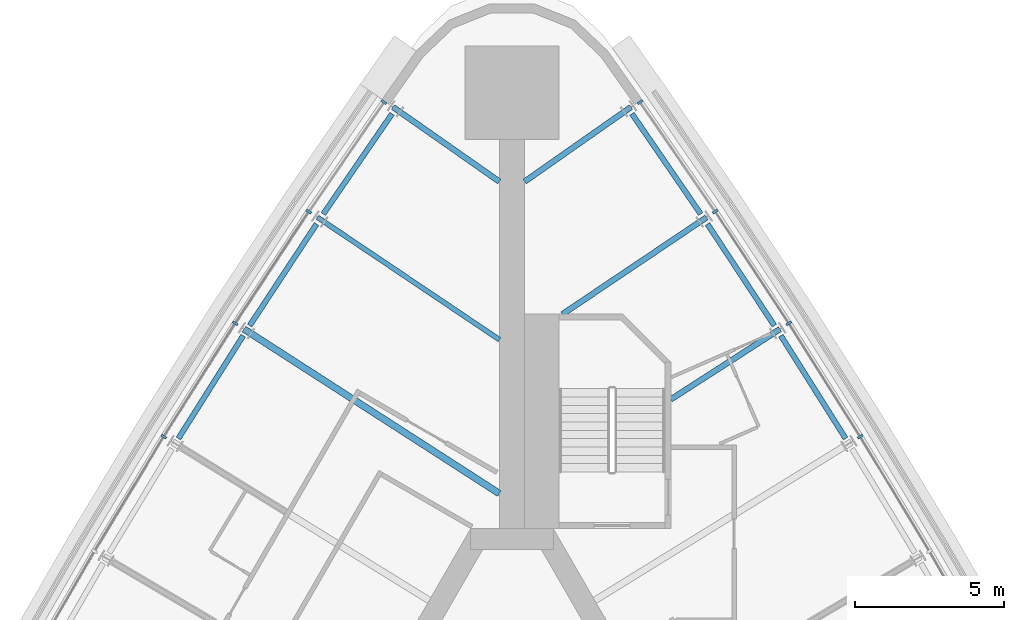
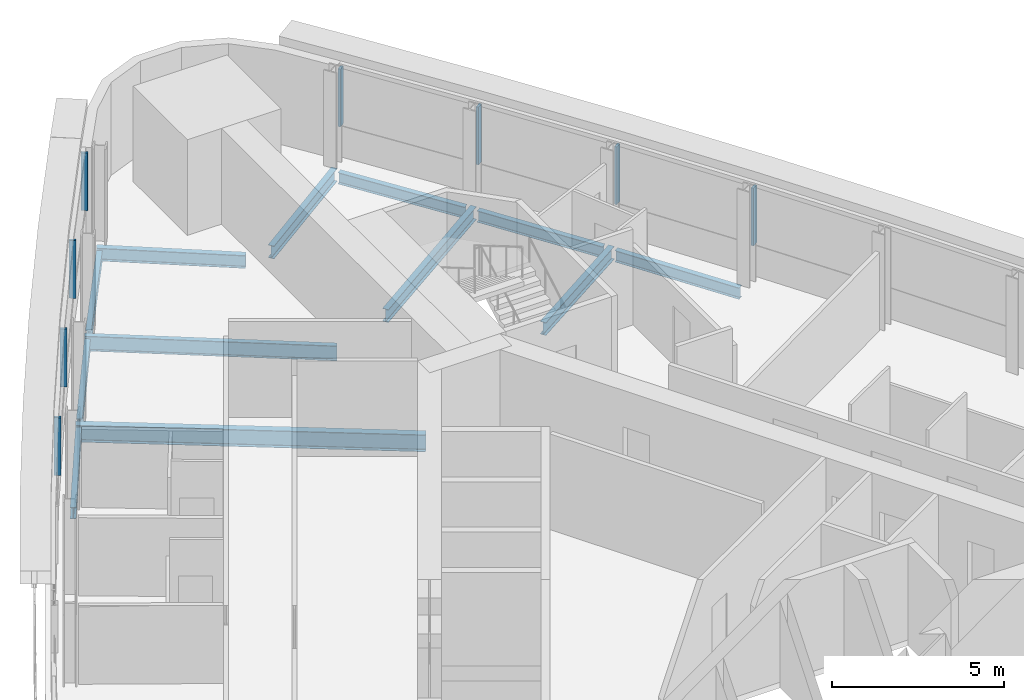
# One storey, part 6 of 13: 12 beams, 8 members, 2 elements without a shape of their own.
"""IFC4 building model written with IfcOpenShell, lengths in metres."""

import ifcopenshell
import ifcopenshell.guid

model = None  # the IFC model being written
_history = None  # IfcOwnerHistory: only IFC2X3 demands one
_inside = {}  # id of a spatial element -> (the spatial element, [elements in it])
_under = {}  # id of a project, library or spatial element -> (it, [spatial elements below it])
_declared = {}  # id of a project -> (the project, [libraries it declares])
_typed = {}  # id of a type object -> (the type object, [elements of that type])
_made_of = {}  # id of a material, layer set ... -> (it, [elements and type objects made of it])


def new_model(schema):
    """Start an empty IFC model of exactly this schema.

    Asked for "IFC4X3", IfcOpenShell would pick the latest addendum, in which some entities
    have other attributes; the version numbers below select the first issue.
    IFC2X3 requires an IfcOwnerHistory on every rooted entity: one is made here for all.
    """
    global model, _history
    if schema == "IFC4X3":
        model = ifcopenshell.file(schema_version=(4, 3, 0, 0))
    else:
        model = ifcopenshell.file(schema=schema)
    _inside.clear()
    _under.clear()
    _declared.clear()
    _typed.clear()
    _made_of.clear()
    _history = None
    if model.schema == "IFC2X3":
        org = make("IfcOrganization", Name="unknown")
        user = make(
            "IfcPersonAndOrganization",
            ThePerson=make("IfcPerson", FamilyName="unknown"),
            TheOrganization=org,
        )
        app = make(
            "IfcApplication",
            ApplicationDeveloper=org,
            Version="unknown",
            ApplicationFullName="unknown",
            ApplicationIdentifier="unknown",
        )
        _history = make(
            "IfcOwnerHistory",
            OwningUser=user,
            OwningApplication=app,
            ChangeAction="ADDED",
            CreationDate=0,
        )
    return model


def make(cls, **values):
    """One entity of the class cls with the attributes given. An attribute that is None is left unset."""
    return model.create_entity(
        cls, **{name: value for name, value in values.items() if value is not None}
    )


def rooted(cls, **values):
    """An entity with a GlobalId (a new one), such as an element, a storey or a relation."""
    return make(cls, GlobalId=ifcopenshell.guid.new(), OwnerHistory=_history, **values)


def si_unit(unit_type, name, prefix=None):
    """IfcSIUnit, for example si_unit("LENGTHUNIT", "METRE", prefix="MILLI")."""
    return make("IfcSIUnit", UnitType=unit_type, Prefix=prefix, Name=name)


def assignment(units):
    """IfcUnitAssignment: the units of a project."""
    return None if units is None else make("IfcUnitAssignment", Units=units)


def point(xyz):
    """IfcCartesianPoint."""
    return None if xyz is None else make("IfcCartesianPoint", Coordinates=xyz)


def direction(xyz):
    """IfcDirection."""
    return None if xyz is None else make("IfcDirection", DirectionRatios=xyz)


def frame(location, z_axis=None, x_axis=None):
    """IfcAxis2Placement3D, a coordinate frame: its origin and axes. An axis left out is left unset."""
    return make(
        "IfcAxis2Placement3D",
        Location=point(location),
        Axis=direction(z_axis),
        RefDirection=direction(x_axis),
    )


def frame_2d(location, x_axis=None):
    """IfcAxis2Placement2D, a coordinate frame in the plane: its origin and x axis."""
    return make(
        "IfcAxis2Placement2D", Location=point(location), RefDirection=direction(x_axis)
    )


def origin():
    """The frame at (0, 0, 0) with its axes left unset."""
    return frame((0.0, 0.0, 0.0))


def origin_2d():
    """The frame at (0, 0) in the plane with its x axis left unset."""
    return frame_2d((0.0, 0.0))


def place(relative_to, where):
    """IfcLocalPlacement: puts the frame where relative to a parent placement (None: the world)."""
    return make(
        "IfcLocalPlacement", PlacementRelTo=relative_to, RelativePlacement=where
    )


def context(
    kind, dimensions, precision=None, world=None, true_north=None, identifier=None
):
    """IfcGeometricRepresentationContext, for example the 3D "Model" context."""
    return make(
        "IfcGeometricRepresentationContext",
        ContextIdentifier=identifier,
        ContextType=kind,
        CoordinateSpaceDimension=dimensions,
        Precision=precision,
        WorldCoordinateSystem=world,
        TrueNorth=true_north,
    )


def subcontext(parent, identifier, kind, view, scale=None):
    """IfcGeometricRepresentationSubContext, for example "Body" below "Model"."""
    return make(
        "IfcGeometricRepresentationSubContext",
        ContextIdentifier=identifier,
        ContextType=kind,
        ParentContext=parent,
        TargetScale=scale,
        TargetView=view,
    )


def project(units=None, contexts=None):
    """IfcProject with its units and contexts."""
    return rooted(
        "IfcProject",
        Name="project",
        RepresentationContexts=contexts,
        UnitsInContext=assignment(units),
    )


def spatial(cls, under=None, at=None, **own):
    """A site, building, storey or space (cls), placed at a placement, below another one or the project."""
    s = rooted(cls, ObjectPlacement=at, **own)
    if under is not None:
        _under.setdefault(under.id(), (under, []))[1].append(s)
    return s


def profile(cls, at=None, kind="AREA", **sizes):
    """A parametric profile (cls). Its sizes go by their IFC names, for example OverallWidth=200.0."""
    return make(cls, ProfileType=kind, Position=at, **sizes)


def rectangle(**sizes):
    """IfcRectangleProfileDef."""
    return profile("IfcRectangleProfileDef", **sizes)


def i_section(**sizes):
    """IfcIShapeProfileDef."""
    return profile("IfcIShapeProfileDef", **sizes)


def extrude(swept, where, along, depth):
    """IfcExtrudedAreaSolid: the profile swept, set in the frame where, extruded along a direction by depth."""
    return make(
        "IfcExtrudedAreaSolid",
        SweptArea=swept,
        Position=where,
        ExtrudedDirection=direction(along),
        Depth=depth,
    )


def shape(context_of_items, identifier, shape_type, items):
    """IfcShapeRepresentation: the items that make up one representation, for example the "Body"."""
    return make(
        "IfcShapeRepresentation",
        ContextOfItems=context_of_items,
        RepresentationIdentifier=identifier,
        RepresentationType=shape_type,
        Items=items,
    )


def material(Name=None, Category=None):
    """IfcMaterial."""
    return make("IfcMaterial", Name=Name, Category=Category)


def material_profile(
    of_material, cross_section, Name=None, Category=None, Priority=None
):
    """IfcMaterialProfile: a cross section and its material."""
    return make(
        "IfcMaterialProfile",
        Name=Name,
        Material=of_material,
        Profile=cross_section,
        Priority=Priority,
        Category=Category,
    )


def profile_set(profiles, Name=None, composite=None):
    """IfcMaterialProfileSet."""
    return make(
        "IfcMaterialProfileSet",
        Name=Name,
        MaterialProfiles=profiles,
        CompositeProfile=composite,
    )


def made_of(thing, what):
    """Note that an element or type object is made of a material, layer set ...; save() writes the relation."""
    if what is not None:
        _made_of.setdefault(what.id(), (what, []))[1].append(thing)
    return thing


def type_object(cls, material=None, **own):
    """A type object (cls), such as IfcWallType, which elements share."""
    return made_of(rooted(cls, **own), material)


def element(
    cls,
    number,
    at=None,
    inside=None,
    cuts=None,
    type_object=None,
    material=None,
    context=None,
    identifier="Body",
    shape_type=None,
    held_by="IfcProductDefinitionShape",
    body=None,
    shapes=None,
    **own,
):
    """One element of the class cls, such as IfcWall. Its Tag is "e" and its number.

    at: its placement. inside: the storey or other place that contains it. cuts: it is an
    opening in that element (IfcRelVoidsElement). A single representation is given by context,
    identifier, shape_type and body (its items); several are given by shapes. held_by: the class
    of the entity that holds the representations. save() writes the other relations.
    """
    e = rooted(cls, Tag="e%d" % number, ObjectPlacement=at, **own)
    if body is not None:
        shapes = [shape(context, identifier, shape_type, body)]
    if shapes is not None:
        e.Representation = make(held_by, Representations=shapes)
    if inside is not None:
        _inside.setdefault(inside.id(), (inside, []))[1].append(e)
    if cuts is not None:
        rooted(
            "IfcRelVoidsElement", RelatingBuildingElement=cuts, RelatedOpeningElement=e
        )
    if type_object is not None:
        _typed.setdefault(type_object.id(), (type_object, []))[1].append(e)
    return made_of(e, material)


def aggregate(whole, parts):
    """IfcRelAggregates: a whole, such as a stair, and the parts it consists of."""
    return rooted("IfcRelAggregates", RelatingObject=whole, RelatedObjects=parts)


def save(model, path):
    """Write the relations noted so far, then the file.

    IfcRelAggregates (storeys below a building ...), IfcRelContainedInSpatialStructure (elements
    in a storey), IfcRelDefinesByType, IfcRelAssociatesMaterial and IfcRelDeclares: one each for
    every whole, place, type object, material and project.
    """
    for whole, parts in _under.values():
        aggregate(whole, parts)
    for where, things in _inside.values():
        rooted(
            "IfcRelContainedInSpatialStructure",
            RelatedElements=things,
            RelatingStructure=where,
        )
    for kind, things in _typed.values():
        rooted("IfcRelDefinesByType", RelatedObjects=things, RelatingType=kind)
    for what, things in _made_of.values():
        rooted("IfcRelAssociatesMaterial", RelatedObjects=things, RelatingMaterial=what)
    for by, libraries in _declared.values():
        rooted("IfcRelDeclares", RelatingContext=by, RelatedDefinitions=libraries)
    model.write(path)


model = new_model("IFC4")

# Units and contexts
model_context = context("Model", 3, precision=1e-05, world=origin(), true_north=direction((0.0, 1.0)))
body_context = subcontext(model_context, "Body", "Model", "MODEL_VIEW")
ifc_project = project(units=[si_unit("LENGTHUNIT", "METRE"), si_unit("AREAUNIT", "SQUARE_METRE"), si_unit("VOLUMEUNIT", "CUBIC_METRE"), si_unit("PLANEANGLEUNIT", "RADIAN"), si_unit("MASSUNIT", "GRAM", prefix="KILO")], contexts=[model_context])

# Site, building, storey
site_placement = place(None, origin())
site = spatial("IfcSite", under=ifc_project, at=site_placement, CompositionType="ELEMENT")
building_placement = place(site_placement, origin())
building = spatial("IfcBuilding", under=site, at=building_placement, Name="Noor Cloister Tower", CompositionType="ELEMENT")
storey_placement = place(building_placement, frame((0.0, 0.0, 79.800048828125)))
storey = spatial("IfcBuildingStorey", under=building, at=storey_placement, Name="L20", CompositionType="ELEMENT", Elevation=79.800048828125)

# Curtain wall, members
ifc_material_1 = material(Name="Aluminium 6063-T6 anodised", Category="aluminium")
curtain_wall_type = type_object("IfcCurtainWallType", Name="Ribbon curtain wall, lower tower CW1", PredefinedType="NOTDEFINED", material=ifc_material_1)
curtain_wall_1_placement = place(storey_placement, origin())
curtain_wall_1 = element("IfcCurtainWall", 1, at=curtain_wall_1_placement, inside=storey, type_object=curtain_wall_type, Name="CW1 L20 NW run 1", PredefinedType="NOTDEFINED")
ifc_material_2 = material(Name="Aluminium 6063-T6 anodised", Category="aluminium")
ifc_material_profile_1 = material_profile(ifc_material_2, rectangle(XDim=0.199951171875, YDim=0.080078125, at=origin_2d()), Name="200 x 80 mullion")
ifc_profile_set_1 = profile_set([ifc_material_profile_1], Name="Aluminium 6063-T6 anodised")
member_type = type_object("IfcMemberType", Name="Mullion CW1 80 x 200", PredefinedType="MULLION", material=ifc_profile_set_1)
member_1_placement = place(storey_placement, frame((-4.304443359375, 25.782958984375, 1.099853515625), z_axis=(0.0, 0.0, 1.0), x_axis=(0.82447711927, -0.565895290492, 0.0)))
member_1 = element("IfcMember", 2, at=member_1_placement, type_object=member_type, Name="CW1 mullion 1", PredefinedType="MULLION", context=body_context, shape_type="SweptSolid", body=[
    extrude(rectangle(XDim=0.199951171875, YDim=0.080078125, at=origin_2d()), origin(), (0.0, 0.0, 1.0), 2.050048828125),
])
member_2_placement = place(storey_placement, frame((-6.827880859375, 22.106689453125, 1.099853515625), z_axis=(0.0, 0.0, 1.0), x_axis=(0.829949745524, -0.557838166411, 0.0)))
member_2 = element("IfcMember", 3, at=member_2_placement, type_object=member_type, Name="CW1 mullion 2", PredefinedType="MULLION", context=body_context, shape_type="SweptSolid", body=[
    extrude(rectangle(XDim=0.199951171875, YDim=0.080078125, at=origin_2d()), origin(), (0.0, 0.0, 1.0), 2.050048828125),
])
member_3_placement = place(storey_placement, frame((-9.300537109375, 18.349365234375, 1.099853515625), z_axis=(0.0, 0.0, 1.0), x_axis=(0.840658272634, -0.541565941185, 0.0)))
member_3 = element("IfcMember", 4, at=member_3_placement, type_object=member_type, Name="CW1 mullion 3", PredefinedType="MULLION", context=body_context, shape_type="SweptSolid", body=[
    extrude(rectangle(XDim=0.199951171875, YDim=0.080078125, at=origin_2d()), origin(), (0.0, 0.0, 1.0), 2.050048828125),
])
member_4_placement = place(storey_placement, frame((-11.699462890625, 14.54443359375, 1.099853515625), z_axis=(0.0, 0.0, 1.0), x_axis=(0.851047805349, -0.525088214503, 0.0)))
member_4 = element("IfcMember", 5, at=member_4_placement, type_object=member_type, Name="CW1 mullion 4", PredefinedType="MULLION", context=body_context, shape_type="SweptSolid", body=[
    extrude(rectangle(XDim=0.199951171875, YDim=0.080078125, at=origin_2d()), origin(), (0.0, 0.0, 1.0), 2.050048828125),
])
aggregate(curtain_wall_1, [member_1, member_2, member_3, member_4])

curtain_wall_2_placement = place(storey_placement, origin())
curtain_wall_2 = element("IfcCurtainWall", 6, at=curtain_wall_2_placement, inside=storey, type_object=curtain_wall_type, Name="CW1 L20 NE run 3", PredefinedType="NOTDEFINED")
member_5_placement = place(storey_placement, frame((11.699462890625, 14.54443359375, 1.099853515625), z_axis=(0.0, 0.0, 1.0), x_axis=(-0.851047805349, -0.525088214503, 0.0)))
member_5 = element("IfcMember", 7, at=member_5_placement, type_object=member_type, Name="CW1 mullion 7", PredefinedType="MULLION", context=body_context, shape_type="SweptSolid", body=[
    extrude(rectangle(XDim=0.199951171875, YDim=0.080078125, at=origin_2d()), origin(), (0.0, 0.0, 1.0), 2.050048828125),
])
member_6_placement = place(storey_placement, frame((9.300537109375, 18.349365234375, 1.099853515625), z_axis=(0.0, 0.0, 1.0), x_axis=(-0.840658272634, -0.541565941185, 0.0)))
member_6 = element("IfcMember", 8, at=member_6_placement, type_object=member_type, Name="CW1 mullion 8", PredefinedType="MULLION", context=body_context, shape_type="SweptSolid", body=[
    extrude(rectangle(XDim=0.199951171875, YDim=0.080078125, at=origin_2d()), origin(), (0.0, 0.0, 1.0), 2.050048828125),
])
member_7_placement = place(storey_placement, frame((6.827880859375, 22.106689453125, 1.099853515625), z_axis=(0.0, 0.0, 1.0), x_axis=(-0.829949745524, -0.557838166411, 0.0)))
member_7 = element("IfcMember", 9, at=member_7_placement, type_object=member_type, Name="CW1 mullion 9", PredefinedType="MULLION", context=body_context, shape_type="SweptSolid", body=[
    extrude(rectangle(XDim=0.199951171875, YDim=0.080078125, at=origin_2d()), origin(), (0.0, 0.0, 1.0), 2.050048828125),
])
member_8_placement = place(storey_placement, frame((4.304443359375, 25.782958984375, 1.099853515625), z_axis=(0.0, 0.0, 1.0), x_axis=(-0.82447711927, -0.565895290492, 0.0)))
member_8 = element("IfcMember", 10, at=member_8_placement, type_object=member_type, Name="CW1 mullion 10", PredefinedType="MULLION", context=body_context, shape_type="SweptSolid", body=[
    extrude(rectangle(XDim=0.199951171875, YDim=0.080078125, at=origin_2d()), origin(), (0.0, 0.0, 1.0), 2.050048828125),
])
aggregate(curtain_wall_2, [member_5, member_6, member_7, member_8])

# Beams
ifc_material_3 = material(Name="Steel ASTM A992 Gr 50", Category="steel")
ifc_material_profile_2 = material_profile(ifc_material_3, i_section(OverallWidth=0.19091796875, OverallDepth=0.45703125, WebThickness=0.009033203125, FlangeThickness=0.014404296875, FilletRadius=0.01025390625, at=origin_2d()), Name="W460x74")
ifc_profile_set_2 = profile_set([ifc_material_profile_2], Name="Steel ASTM A992 Gr 50")
beam_type_1 = type_object("IfcBeamType", Name="Radial beam W460x74", PredefinedType="BEAM", material=ifc_profile_set_2)
beam_1_placement = place(storey_placement, frame((-3.993408203125, 25.612548828125, -0.428466796875), z_axis=(0.81892119613, -0.573905980566, 0.0), x_axis=(0.573905980566, 0.81892119613, 0.0)))
element("IfcBeam", 11, at=beam_1_placement, inside=storey, type_object=beam_type_1, Name="Radial beam NW 01 L20", PredefinedType="BEAM", context=body_context, shape_type="SweptSolid", body=[
    extrude(i_section(OverallWidth=0.19091796875, OverallDepth=0.45703125, WebThickness=0.009033203125, FlangeThickness=0.014404296875, FilletRadius=0.01025390625, at=origin_2d()), origin(), (0.0, 0.0, 1.0), 4.357421875),
])
beam_2_placement = place(storey_placement, frame((9.003662109375, 18.158203125, -0.428466796875), z_axis=(-0.840650856863, -0.541577452315, 0.0), x_axis=(0.541577452315, -0.840650856863, 0.0)))
element("IfcBeam", 12, at=beam_2_placement, inside=storey, type_object=beam_type_1, Name="Radial beam NE 08 L20", PredefinedType="BEAM", context=body_context, shape_type="SweptSolid", body=[
    extrude(i_section(OverallWidth=0.19091796875, OverallDepth=0.45703125, WebThickness=0.009033203125, FlangeThickness=0.014404296875, FilletRadius=0.01025390625, at=origin_2d()), origin(), (0.0, 0.0, 1.0), 4.36328125),
])
beam_3_placement = place(storey_placement, frame((6.534912109375, 21.90966796875, -0.428466796875), z_axis=(-0.829964203406, -0.557816655421, 0.0), x_axis=(0.557816655421, -0.829964203406, 0.0)))
element("IfcBeam", 13, at=beam_3_placement, inside=storey, type_object=beam_type_1, Name="Radial beam NE 09 L20", PredefinedType="BEAM", context=body_context, shape_type="SweptSolid", body=[
    extrude(i_section(OverallWidth=0.19091796875, OverallDepth=0.45703125, WebThickness=0.009033203125, FlangeThickness=0.014404296875, FilletRadius=0.01025390625, at=origin_2d()), origin(), (0.0, 0.0, 1.0), 5.83203125),
])
beam_4_placement = place(storey_placement, frame((3.993408203125, 25.612548828125, -0.428466796875), z_axis=(-0.81892119613, -0.573905980566, 0.0), x_axis=(0.573905980566, -0.81892119613, 0.0)))
element("IfcBeam", 14, at=beam_4_placement, inside=storey, type_object=beam_type_1, Name="Radial beam NE 10 L20", PredefinedType="BEAM", context=body_context, shape_type="SweptSolid", body=[
    extrude(i_section(OverallWidth=0.19091796875, OverallDepth=0.45703125, WebThickness=0.009033203125, FlangeThickness=0.014404296875, FilletRadius=0.01025390625, at=origin_2d()), origin(), (0.0, 0.0, 1.0), 4.357421875),
])
ifc_material_4 = material(Name="Steel ASTM A992 Gr 50", Category="steel")
ifc_material_profile_3 = material_profile(ifc_material_4, i_section(OverallWidth=0.166015625, OverallDepth=0.528076171875, WebThickness=0.009765625, FlangeThickness=0.013671875, FilletRadius=0.0126953125, at=origin_2d()), Name="W530x74")
ifc_profile_set_3 = profile_set([ifc_material_profile_3], Name="Steel ASTM A992 Gr 50")
beam_type_2 = type_object("IfcBeamType", Name="Radial beam W530x74", PredefinedType="BEAM", material=ifc_profile_set_3)
beam_5_placement = place(storey_placement, frame((-6.534912109375, 21.90966796875, -0.464111328125), z_axis=(0.829947401278, -0.557841654156, 0.0), x_axis=(0.557841654156, 0.829947401278, 0.0)))
element("IfcBeam", 15, at=beam_5_placement, inside=storey, type_object=beam_type_2, Name="Radial beam NW 02 L20", PredefinedType="BEAM", context=body_context, shape_type="SweptSolid", body=[
    extrude(i_section(OverallWidth=0.166015625, OverallDepth=0.528076171875, WebThickness=0.009765625, FlangeThickness=0.013671875, FilletRadius=0.0126953125, at=origin_2d()), origin(), (0.0, 0.0, 1.0), 7.36181640625),
])
ifc_material_5 = material(Name="Steel ASTM A992 Gr 50", Category="steel")
ifc_material_profile_4 = material_profile(ifc_material_5, i_section(OverallWidth=0.22802734375, OverallDepth=0.60205078125, WebThickness=0.010498046875, FlangeThickness=0.014892578125, FilletRadius=0.0126953125, at=origin_2d()), Name="W610x101")
ifc_profile_set_4 = profile_set([ifc_material_profile_4], Name="Steel ASTM A992 Gr 50")
beam_type_3 = type_object("IfcBeamType", Name="Radial beam W610x101", PredefinedType="BEAM", material=ifc_profile_set_4)
beam_6_placement = place(storey_placement, frame((-9.003662109375, 18.158203125, -0.5009765625), z_axis=(0.840652606977, -0.541574735732, 0.0), x_axis=(0.541574735732, 0.840652606977, 0.0)))
element("IfcBeam", 16, at=beam_6_placement, inside=storey, type_object=beam_type_3, Name="Radial beam NW 03 L20", PredefinedType="BEAM", context=body_context, shape_type="SweptSolid", body=[
    extrude(i_section(OverallWidth=0.22802734375, OverallDepth=0.60205078125, WebThickness=0.010498046875, FlangeThickness=0.014892578125, FilletRadius=0.0126953125, at=origin_2d()), origin(), (0.0, 0.0, 1.0), 10.20458984375),
])
ifc_material_6 = material(Name="Steel ASTM A992 Gr 50", Category="steel")
ifc_material_profile_5 = material_profile(ifc_material_6, i_section(OverallWidth=0.177978515625, OverallDepth=0.406005859375, WebThickness=0.0078125, FlangeThickness=0.0126953125, FilletRadius=0.01025390625, at=origin_2d()), Name="W410x60")
ifc_profile_set_5 = profile_set([ifc_material_profile_5], Name="Steel ASTM A992 Gr 50")
beam_type_4 = type_object("IfcBeamType", Name="Spandrel beam W410x60", PredefinedType="SPANDREL", material=ifc_profile_set_5)
for number, where, z_axis, x_axis, name in (
    (17, (-4.0283203125, 25.390380859375, -0.403076171875), (-0.565889496738, -0.824481095891, 0.0), (0.824481095891, -0.565889496738, 0.0), "Spandrel beam NW 01 L20"),
    (18, (-6.5654296875, 21.686767578125, -0.403076171875), (-0.549697723063, -0.835363641332, 0.0), (0.835363641332, -0.549697723063, 0.0), "Spandrel beam NW 02 L20"),
):
    element("IfcBeam", number, at=place(storey_placement, frame(where, z_axis=z_axis, x_axis=x_axis)), inside=storey, type_object=beam_type_4, Name=name, PredefinedType="SPANDREL", context=body_context, shape_type="SweptSolid", body=[
        extrude(i_section(OverallWidth=0.177978515625, OverallDepth=0.406005859375, WebThickness=0.0078125, FlangeThickness=0.0126953125, FilletRadius=0.01025390625, at=origin_2d()), origin(), (0.0, 0.0, 1.0), 4.085205078125),
    ])
for number, where, z_axis, x_axis, name in (
    (19, (-9.030029296875, 17.9345703125, -0.403076171875), (-0.533336251935, -0.845903329212, 0.0), (0.845903329212, -0.533336251935, 0.0), "Spandrel beam NW 03 L20"),
    (20, (11.208740234375, 14.47900390625, -0.403076171875), (-0.533336251935, 0.845903329212, 0.0), (-0.845903329212, -0.533336251935, 0.0), "Spandrel beam NE 07 L20"),
):
    element("IfcBeam", number, at=place(storey_placement, frame(where, z_axis=z_axis, x_axis=x_axis)), inside=storey, type_object=beam_type_4, Name=name, PredefinedType="SPANDREL", context=body_context, shape_type="SweptSolid", body=[
        extrude(i_section(OverallWidth=0.177978515625, OverallDepth=0.406005859375, WebThickness=0.0078125, FlangeThickness=0.0126953125, FilletRadius=0.01025390625, at=origin_2d()), origin(), (0.0, 0.0, 1.0), 4.0849609375),
    ])
for number, where, z_axis, x_axis, name in (
    (21, (8.81103515625, 18.274169921875, -0.403076171875), (-0.549697723063, 0.835363641332, 0.0), (-0.835363641332, -0.549697723063, 0.0), "Spandrel beam NE 08 L20"),
    (22, (6.340087890625, 22.022216796875, -0.403076171875), (-0.565889496738, 0.824481095891, 0.0), (-0.824481095891, -0.565889496738, 0.0), "Spandrel beam NE 09 L20"),
):
    element("IfcBeam", number, at=place(storey_placement, frame(where, z_axis=z_axis, x_axis=x_axis)), inside=storey, type_object=beam_type_4, Name=name, PredefinedType="SPANDREL", context=body_context, shape_type="SweptSolid", body=[
        extrude(i_section(OverallWidth=0.177978515625, OverallDepth=0.406005859375, WebThickness=0.0078125, FlangeThickness=0.0126953125, FilletRadius=0.01025390625, at=origin_2d()), origin(), (0.0, 0.0, 1.0), 4.085205078125),
    ])

save(model, "model.ifc")
